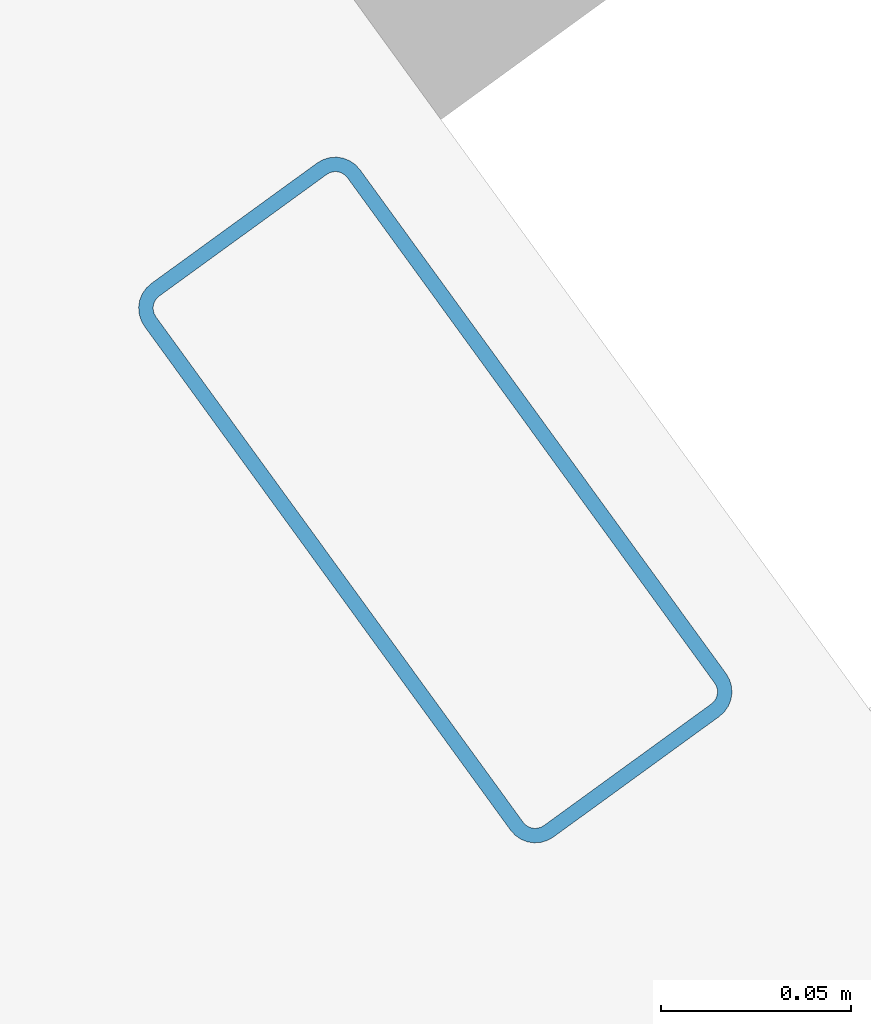
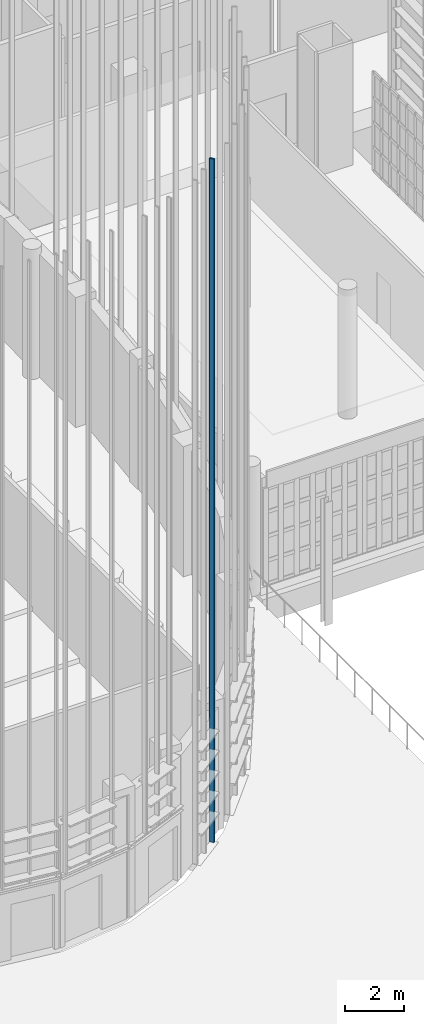
# One storey, part 54 of 372: 1 member.
"""IFC4 building model written with IfcOpenShell, lengths in metres."""

from ifc_helpers import new_model, si_unit, direction, frame, origin, origin_2d, place, context, subcontext, project, spatial, hollow_rectangle, extrude, material, material_profile, profile_set, type_object, element, save


model = new_model("IFC4")

# Units and contexts
model_context = context("Model", 3, precision=1e-05, world=origin(), true_north=direction((0.0, 1.0)))
body_context = subcontext(model_context, "Body", "Model", "MODEL_VIEW")
ifc_project = project(units=[si_unit("LENGTHUNIT", "METRE"), si_unit("AREAUNIT", "SQUARE_METRE"), si_unit("VOLUMEUNIT", "CUBIC_METRE"), si_unit("PLANEANGLEUNIT", "RADIAN"), si_unit("MASSUNIT", "GRAM", prefix="KILO")], contexts=[model_context])

# Site, building, storey
site_placement = place(None, origin())
site = spatial("IfcSite", under=ifc_project, at=site_placement, CompositionType="ELEMENT")
building_placement = place(site_placement, origin())
building = spatial("IfcBuilding", under=site, at=building_placement, Name="Kaelora Sail Theatre", CompositionType="ELEMENT")
storey_placement = place(building_placement, origin())
storey = spatial("IfcBuildingStorey", under=building, at=storey_placement, Name="L00", CompositionType="ELEMENT", Elevation=0.0)

# Member
ifc_material = material(Name="Anodised aluminium 6063-T6", Category="aluminium")
ifc_material_profile = material_profile(ifc_material, hollow_rectangle(XDim=0.070068359375, YDim=0.179931640625, WallThickness=0.00390625, InnerFilletRadius=0.00390625, OuterFilletRadius=0.008056640625, at=origin_2d()), Name="ALU-MULL 70x180x4")
ifc_profile_set = profile_set([ifc_material_profile], Name="Anodised aluminium 6063-T6")
member_type = type_object("IfcMemberType", Name="ARC-MEM-PST-160", PredefinedType="POST", material=ifc_profile_set)
member_placement = place(storey_placement, frame((49.636962890625, 26.50634765625, 0.0), z_axis=(0.0, 0.0, 1.0), x_axis=(-0.809016994375, -0.587785252292, 0.0)))
element("IfcMember", 1, at=member_placement, inside=storey, type_object=member_type, Name="Main Theatre Sail Drum solar louvre vertical support post C9-1", PredefinedType="POST", context=body_context, shape_type="SweptSolid", body=[
    extrude(hollow_rectangle(XDim=0.070068359375, YDim=0.179931640625, WallThickness=0.00390625, InnerFilletRadius=0.00390625, OuterFilletRadius=0.008056640625, at=origin_2d()), origin(), (0.0, 0.0, 1.0), 28.375),
])

save(model, "model.ifc")
